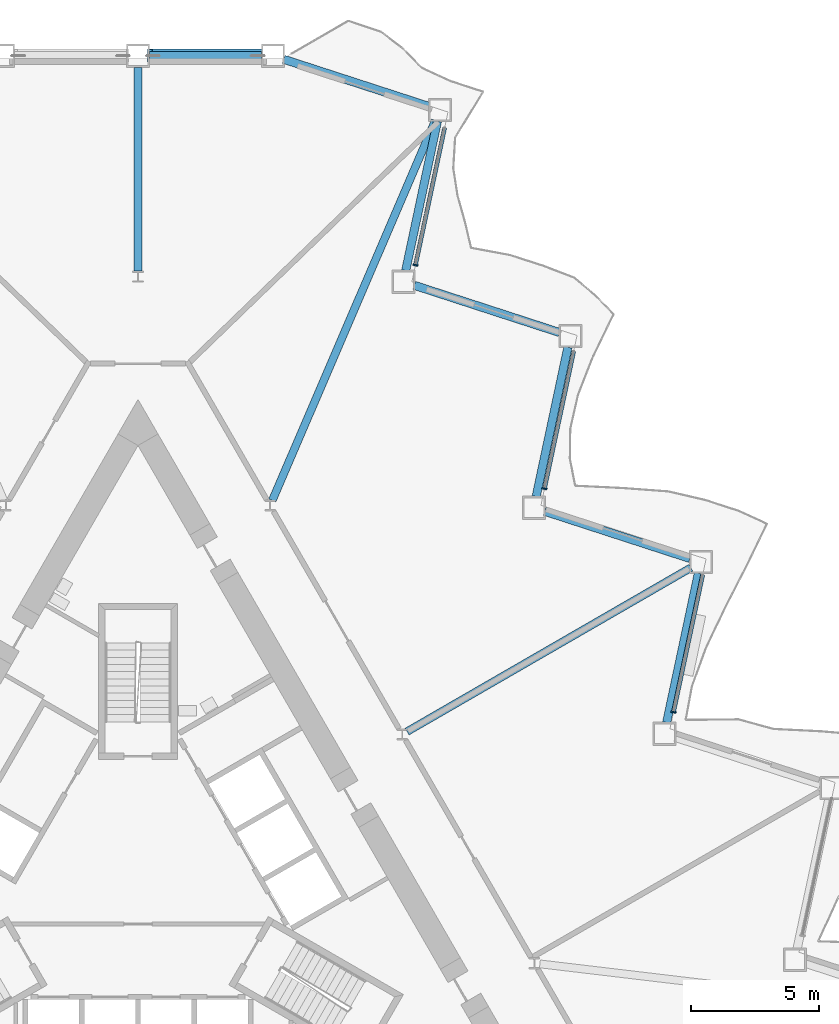
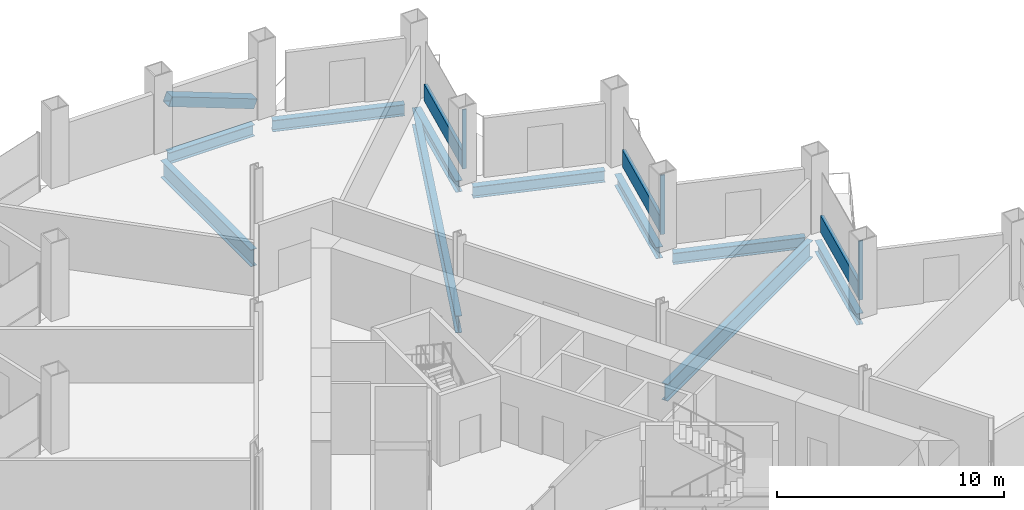
# One storey, part 8 of 21: 10 beams, 7 members, 3 elements without a shape of their own.
"""IFC4 building model written with IfcOpenShell, lengths in metres."""

import ifcopenshell
import ifcopenshell.guid

model = None  # the IFC model being written
_history = None  # IfcOwnerHistory: only IFC2X3 demands one
_inside = {}  # id of a spatial element -> (the spatial element, [elements in it])
_under = {}  # id of a project, library or spatial element -> (it, [spatial elements below it])
_declared = {}  # id of a project -> (the project, [libraries it declares])
_typed = {}  # id of a type object -> (the type object, [elements of that type])
_made_of = {}  # id of a material, layer set ... -> (it, [elements and type objects made of it])


def new_model(schema):
    """Start an empty IFC model of exactly this schema.

    Asked for "IFC4X3", IfcOpenShell would pick the latest addendum, in which some entities
    have other attributes; the version numbers below select the first issue.
    IFC2X3 requires an IfcOwnerHistory on every rooted entity: one is made here for all.
    """
    global model, _history
    if schema == "IFC4X3":
        model = ifcopenshell.file(schema_version=(4, 3, 0, 0))
    else:
        model = ifcopenshell.file(schema=schema)
    _inside.clear()
    _under.clear()
    _declared.clear()
    _typed.clear()
    _made_of.clear()
    _history = None
    if model.schema == "IFC2X3":
        org = make("IfcOrganization", Name="unknown")
        user = make(
            "IfcPersonAndOrganization",
            ThePerson=make("IfcPerson", FamilyName="unknown"),
            TheOrganization=org,
        )
        app = make(
            "IfcApplication",
            ApplicationDeveloper=org,
            Version="unknown",
            ApplicationFullName="unknown",
            ApplicationIdentifier="unknown",
        )
        _history = make(
            "IfcOwnerHistory",
            OwningUser=user,
            OwningApplication=app,
            ChangeAction="ADDED",
            CreationDate=0,
        )
    return model


def make(cls, **values):
    """One entity of the class cls with the attributes given. An attribute that is None is left unset."""
    return model.create_entity(
        cls, **{name: value for name, value in values.items() if value is not None}
    )


def rooted(cls, **values):
    """An entity with a GlobalId (a new one), such as an element, a storey or a relation."""
    return make(cls, GlobalId=ifcopenshell.guid.new(), OwnerHistory=_history, **values)


def si_unit(unit_type, name, prefix=None):
    """IfcSIUnit, for example si_unit("LENGTHUNIT", "METRE", prefix="MILLI")."""
    return make("IfcSIUnit", UnitType=unit_type, Prefix=prefix, Name=name)


def assignment(units):
    """IfcUnitAssignment: the units of a project."""
    return None if units is None else make("IfcUnitAssignment", Units=units)


def point(xyz):
    """IfcCartesianPoint."""
    return None if xyz is None else make("IfcCartesianPoint", Coordinates=xyz)


def direction(xyz):
    """IfcDirection."""
    return None if xyz is None else make("IfcDirection", DirectionRatios=xyz)


def frame(location, z_axis=None, x_axis=None):
    """IfcAxis2Placement3D, a coordinate frame: its origin and axes. An axis left out is left unset."""
    return make(
        "IfcAxis2Placement3D",
        Location=point(location),
        Axis=direction(z_axis),
        RefDirection=direction(x_axis),
    )


def frame_2d(location, x_axis=None):
    """IfcAxis2Placement2D, a coordinate frame in the plane: its origin and x axis."""
    return make(
        "IfcAxis2Placement2D", Location=point(location), RefDirection=direction(x_axis)
    )


def origin():
    """The frame at (0, 0, 0) with its axes left unset."""
    return frame((0.0, 0.0, 0.0))


def origin_2d():
    """The frame at (0, 0) in the plane with its x axis left unset."""
    return frame_2d((0.0, 0.0))


def place(relative_to, where):
    """IfcLocalPlacement: puts the frame where relative to a parent placement (None: the world)."""
    return make(
        "IfcLocalPlacement", PlacementRelTo=relative_to, RelativePlacement=where
    )


def context(
    kind, dimensions, precision=None, world=None, true_north=None, identifier=None
):
    """IfcGeometricRepresentationContext, for example the 3D "Model" context."""
    return make(
        "IfcGeometricRepresentationContext",
        ContextIdentifier=identifier,
        ContextType=kind,
        CoordinateSpaceDimension=dimensions,
        Precision=precision,
        WorldCoordinateSystem=world,
        TrueNorth=true_north,
    )


def subcontext(parent, identifier, kind, view, scale=None):
    """IfcGeometricRepresentationSubContext, for example "Body" below "Model"."""
    return make(
        "IfcGeometricRepresentationSubContext",
        ContextIdentifier=identifier,
        ContextType=kind,
        ParentContext=parent,
        TargetScale=scale,
        TargetView=view,
    )


def project(units=None, contexts=None):
    """IfcProject with its units and contexts."""
    return rooted(
        "IfcProject",
        Name="project",
        RepresentationContexts=contexts,
        UnitsInContext=assignment(units),
    )


def spatial(cls, under=None, at=None, **own):
    """A site, building, storey or space (cls), placed at a placement, below another one or the project."""
    s = rooted(cls, ObjectPlacement=at, **own)
    if under is not None:
        _under.setdefault(under.id(), (under, []))[1].append(s)
    return s


def profile(cls, at=None, kind="AREA", **sizes):
    """A parametric profile (cls). Its sizes go by their IFC names, for example OverallWidth=200.0."""
    return make(cls, ProfileType=kind, Position=at, **sizes)


def rectangle(**sizes):
    """IfcRectangleProfileDef."""
    return profile("IfcRectangleProfileDef", **sizes)


def hollow_rectangle(**sizes):
    """IfcRectangleHollowProfileDef."""
    return profile("IfcRectangleHollowProfileDef", **sizes)


def i_section(**sizes):
    """IfcIShapeProfileDef."""
    return profile("IfcIShapeProfileDef", **sizes)


def extrude(swept, where, along, depth):
    """IfcExtrudedAreaSolid: the profile swept, set in the frame where, extruded along a direction by depth."""
    return make(
        "IfcExtrudedAreaSolid",
        SweptArea=swept,
        Position=where,
        ExtrudedDirection=direction(along),
        Depth=depth,
    )


def shape(context_of_items, identifier, shape_type, items):
    """IfcShapeRepresentation: the items that make up one representation, for example the "Body"."""
    return make(
        "IfcShapeRepresentation",
        ContextOfItems=context_of_items,
        RepresentationIdentifier=identifier,
        RepresentationType=shape_type,
        Items=items,
    )


def material(Name=None, Category=None):
    """IfcMaterial."""
    return make("IfcMaterial", Name=Name, Category=Category)


def layer(
    of_material, thickness, ventilated=None, Name=None, Category=None, Priority=None
):
    """IfcMaterialLayer: one layer of a wall or slab, of a material (None: an air gap)."""
    return make(
        "IfcMaterialLayer",
        Material=of_material,
        LayerThickness=thickness,
        IsVentilated=ventilated,
        Name=Name,
        Category=Category,
        Priority=Priority,
    )


def layer_set(layers, Name=None):
    """IfcMaterialLayerSet."""
    return make("IfcMaterialLayerSet", MaterialLayers=layers, LayerSetName=Name)


def material_profile(
    of_material, cross_section, Name=None, Category=None, Priority=None
):
    """IfcMaterialProfile: a cross section and its material."""
    return make(
        "IfcMaterialProfile",
        Name=Name,
        Material=of_material,
        Profile=cross_section,
        Priority=Priority,
        Category=Category,
    )


def profile_set(profiles, Name=None, composite=None):
    """IfcMaterialProfileSet."""
    return make(
        "IfcMaterialProfileSet",
        Name=Name,
        MaterialProfiles=profiles,
        CompositeProfile=composite,
    )


def made_of(thing, what):
    """Note that an element or type object is made of a material, layer set ...; save() writes the relation."""
    if what is not None:
        _made_of.setdefault(what.id(), (what, []))[1].append(thing)
    return thing


def type_object(cls, material=None, **own):
    """A type object (cls), such as IfcWallType, which elements share."""
    return made_of(rooted(cls, **own), material)


def element(
    cls,
    number,
    at=None,
    inside=None,
    cuts=None,
    type_object=None,
    material=None,
    context=None,
    identifier="Body",
    shape_type=None,
    held_by="IfcProductDefinitionShape",
    body=None,
    shapes=None,
    **own,
):
    """One element of the class cls, such as IfcWall. Its Tag is "e" and its number.

    at: its placement. inside: the storey or other place that contains it. cuts: it is an
    opening in that element (IfcRelVoidsElement). A single representation is given by context,
    identifier, shape_type and body (its items); several are given by shapes. held_by: the class
    of the entity that holds the representations. save() writes the other relations.
    """
    e = rooted(cls, Tag="e%d" % number, ObjectPlacement=at, **own)
    if body is not None:
        shapes = [shape(context, identifier, shape_type, body)]
    if shapes is not None:
        e.Representation = make(held_by, Representations=shapes)
    if inside is not None:
        _inside.setdefault(inside.id(), (inside, []))[1].append(e)
    if cuts is not None:
        rooted(
            "IfcRelVoidsElement", RelatingBuildingElement=cuts, RelatedOpeningElement=e
        )
    if type_object is not None:
        _typed.setdefault(type_object.id(), (type_object, []))[1].append(e)
    return made_of(e, material)


def aggregate(whole, parts):
    """IfcRelAggregates: a whole, such as a stair, and the parts it consists of."""
    return rooted("IfcRelAggregates", RelatingObject=whole, RelatedObjects=parts)


def save(model, path):
    """Write the relations noted so far, then the file.

    IfcRelAggregates (storeys below a building ...), IfcRelContainedInSpatialStructure (elements
    in a storey), IfcRelDefinesByType, IfcRelAssociatesMaterial and IfcRelDeclares: one each for
    every whole, place, type object, material and project.
    """
    for whole, parts in _under.values():
        aggregate(whole, parts)
    for where, things in _inside.values():
        rooted(
            "IfcRelContainedInSpatialStructure",
            RelatedElements=things,
            RelatingStructure=where,
        )
    for kind, things in _typed.values():
        rooted("IfcRelDefinesByType", RelatedObjects=things, RelatingType=kind)
    for what, things in _made_of.values():
        rooted("IfcRelAssociatesMaterial", RelatedObjects=things, RelatingMaterial=what)
    for by, libraries in _declared.values():
        rooted("IfcRelDeclares", RelatingContext=by, RelatedDefinitions=libraries)
    model.write(path)


model = new_model("IFC4")

# Units and contexts
model_context = context("Model", 3, precision=1e-05, world=origin(), true_north=direction((0.0, 1.0)))
body_context = subcontext(model_context, "Body", "Model", "MODEL_VIEW")
ifc_project = project(units=[si_unit("LENGTHUNIT", "METRE"), si_unit("AREAUNIT", "SQUARE_METRE"), si_unit("VOLUMEUNIT", "CUBIC_METRE"), si_unit("PLANEANGLEUNIT", "RADIAN"), si_unit("MASSUNIT", "GRAM", prefix="KILO")], contexts=[model_context])

# Site, building, storey
site_placement = place(None, origin())
site = spatial("IfcSite", under=ifc_project, at=site_placement, CompositionType="ELEMENT")
building_placement = place(site_placement, origin())
building = spatial("IfcBuilding", under=site, at=building_placement, Name="Cormorant Prow Tower", CompositionType="ELEMENT")
storey_placement = place(building_placement, frame((0.0, 0.0, 129.0)))
storey = spatial("IfcBuildingStorey", under=building, at=storey_placement, Name="L27", CompositionType="ELEMENT", Elevation=129.0)

# Member
ifc_material_1 = material(Name="Structural steel ASTM A500 Gr C", Category="steel")
ifc_material_profile_1 = material_profile(ifc_material_1, hollow_rectangle(XDim=0.508056640625, YDim=0.508056640625, WallThickness=0.014892578125, at=origin_2d()), Name="HSS20x20x5/8")
ifc_profile_set_1 = profile_set([ifc_material_profile_1], Name="Structural steel ASTM A500 Gr C")
member_type_1 = type_object("IfcMemberType", Name="Chamfer brace HSS20x20x5/8", PredefinedType="BRACE", material=ifc_profile_set_1)
member_1_placement = place(storey_placement, frame((4.8017578125, 32.487060546875, 0.776611328125), z_axis=(-0.935582009332, 0.0, 0.353109478511), x_axis=(0.0, -1.0, 0.0)))
element("IfcMember", 1, at=member_1_placement, inside=storey, type_object=member_type_1, Name="Chamfer brace BR1 at N00 L27", PredefinedType="BRACE", context=body_context, shape_type="SweptSolid", body=[
    extrude(hollow_rectangle(XDim=0.508056640625, YDim=0.508056640625, WallThickness=0.014892578125, at=origin_2d()), origin(), (0.0, 0.0, 1.0), 4.63232421875),
])

# Curtain wall, member
ifc_material_2 = material(Name="Aluminium 6063-T6", Category="aluminium")
ifc_layer = layer(ifc_material_2, 0.199951171875)
ifc_layer_set = layer_set([ifc_layer], Name="Aluminium 6063-T6")
curtain_wall_type = type_object("IfcCurtainWallType", Name="Office unitised curtain wall 200", PredefinedType="NOTDEFINED", material=ifc_layer_set)
curtain_wall_1_placement = place(storey_placement, origin())
curtain_wall_1 = element("IfcCurtainWall", 2, at=curtain_wall_1_placement, inside=storey, type_object=curtain_wall_type, Name="Office curtain wall ENE04", PredefinedType="NOTDEFINED")
ifc_material_3 = material(Name="Aluminium 6063-T6", Category="aluminium")
ifc_material_profile_2 = material_profile(ifc_material_3, rectangle(XDim=0.199951171875, YDim=0.06005859375, at=origin_2d()), Name="Office mullion 60x200")
ifc_profile_set_2 = profile_set([ifc_material_profile_2], Name="Aluminium 6063-T6")
member_type_2 = type_object("IfcMemberType", Name="Office mullion 60x200", PredefinedType="MULLION", material=ifc_profile_set_2)
member_2_placement = place(storey_placement, frame((20.9296875, 6.831787109375, 0.0), z_axis=(0.0, 0.0, 1.0), x_axis=(-0.978147605839, 0.207911666798, 0.0)))
member_2 = element("IfcMember", 3, at=member_2_placement, type_object=member_type_2, Name="Office mullion ENE04", PredefinedType="MULLION", context=body_context, shape_type="SweptSolid", body=[
    extrude(rectangle(XDim=0.199951171875, YDim=0.06005859375, at=origin_2d()), origin(), (0.0, 0.0, 1.0), 3.18896484375),
])

curtain_wall_2_placement = place(storey_placement, origin())
curtain_wall_2 = element("IfcCurtainWall", 4, at=curtain_wall_2_placement, inside=storey, type_object=curtain_wall_type, Name="Office curtain wall ENE06", PredefinedType="NOTDEFINED")
member_3_placement = place(storey_placement, frame((15.886474609375, 15.567138671875, 0.0), z_axis=(0.0, 0.0, 1.0), x_axis=(-0.978147612208, 0.207911636836, 0.0)))
member_3 = element("IfcMember", 5, at=member_3_placement, type_object=member_type_2, Name="Office mullion ENE06", PredefinedType="MULLION", context=body_context, shape_type="SweptSolid", body=[
    extrude(rectangle(XDim=0.199951171875, YDim=0.06005859375, at=origin_2d()), origin(), (0.0, 0.0, 1.0), 3.18896484375),
])

curtain_wall_3_placement = place(storey_placement, origin())
curtain_wall_3 = element("IfcCurtainWall", 6, at=curtain_wall_3_placement, inside=storey, type_object=curtain_wall_type, Name="Office curtain wall ENE08", PredefinedType="NOTDEFINED")
member_4_placement = place(storey_placement, frame((10.843017578125, 24.302490234375, 0.0), z_axis=(0.0, 0.0, 1.0), x_axis=(-0.978147612208, 0.207911636836, 0.0)))
member_4 = element("IfcMember", 7, at=member_4_placement, type_object=member_type_2, Name="Office mullion ENE08", PredefinedType="MULLION", context=body_context, shape_type="SweptSolid", body=[
    extrude(rectangle(XDim=0.199951171875, YDim=0.06005859375, at=origin_2d()), origin(), (0.0, 0.0, 1.0), 3.18896484375),
])

# Member
ifc_material_4 = material(Name="Terracotta", Category="masonry")
ifc_material_profile_3 = material_profile(ifc_material_4, rectangle(XDim=0.159912109375, YDim=0.89990234375, at=origin_2d()), Name="Office terracotta spandrel rail 160x900")
ifc_profile_set_3 = profile_set([ifc_material_profile_3], Name="Terracotta")
member_type_3 = type_object("IfcMemberType", Name="Office terracotta spandrel rail 160x900", PredefinedType="USERDEFINED", material=ifc_profile_set_3)
member_5_placement = place(storey_placement, frame((20.93603515625, 6.861083984375, 0.449951171875), z_axis=(0.207902650803, 0.978149522205, 0.0), x_axis=(-0.978149522205, 0.207902650803, 0.0)))
member_5 = element("IfcMember", 8, at=member_5_placement, type_object=member_type_3, Name="Office spandrel rail ENE04", ObjectType="TRANSOM", PredefinedType="USERDEFINED", context=body_context, shape_type="SweptSolid", body=[
    extrude(rectangle(XDim=0.159912109375, YDim=0.89990234375, at=origin_2d()), origin(), (0.0, 0.0, 1.0), 5.45458984375),
])

aggregate(curtain_wall_1, [member_2, member_5])

member_6_placement = place(storey_placement, frame((15.892578125, 15.596435546875, 0.449951171875), z_axis=(0.207902650803, 0.978149522205, 0.0), x_axis=(-0.978149522205, 0.207902650803, 0.0)))
member_6 = element("IfcMember", 9, at=member_6_placement, type_object=member_type_3, Name="Office spandrel rail ENE06", ObjectType="TRANSOM", PredefinedType="USERDEFINED", context=body_context, shape_type="SweptSolid", body=[
    extrude(rectangle(XDim=0.159912109375, YDim=0.89990234375, at=origin_2d()), origin(), (0.0, 0.0, 1.0), 5.45458984375),
])

aggregate(curtain_wall_2, [member_3, member_6])

member_7_placement = place(storey_placement, frame((10.84912109375, 24.331787109375, 0.449951171875), z_axis=(0.207945473965, 0.978140419294, 0.0), x_axis=(-0.978140419294, 0.207945473965, 0.0)))
member_7 = element("IfcMember", 10, at=member_7_placement, type_object=member_type_3, Name="Office spandrel rail ENE08", ObjectType="TRANSOM", PredefinedType="USERDEFINED", context=body_context, shape_type="SweptSolid", body=[
    extrude(rectangle(XDim=0.159912109375, YDim=0.89990234375, at=origin_2d()), origin(), (0.0, 0.0, 1.0), 5.45458984375),
])

aggregate(curtain_wall_3, [member_4, member_7])

# Beams
ifc_material_5 = material(Name="Structural steel ASTM A992 Gr 50", Category="steel")
ifc_material_profile_4 = material_profile(ifc_material_5, i_section(OverallWidth=0.3046875, OverallDepth=0.914794921875, WebThickness=0.0166015625, FlangeThickness=0.02587890625, at=origin_2d()), Name="W36x160")
ifc_profile_set_4 = profile_set([ifc_material_profile_4], Name="Structural steel ASTM A992 Gr 50")
beam_type_1 = type_object("IfcBeamType", Name="Radial floor beam W36x160", PredefinedType="BEAM", material=ifc_profile_set_4)
beam_1_placement = place(storey_placement, frame((0.0, 24.070068359375, -0.857421875), z_axis=(0.0, 1.0, 0.0), x_axis=(-1.0, 0.0, 0.0)))
element("IfcBeam", 11, at=beam_1_placement, inside=storey, type_object=beam_type_1, Name="Radial floor beam FB1 1 L27", PredefinedType="BEAM", context=body_context, shape_type="SweptSolid", body=[
    extrude(i_section(OverallWidth=0.3046875, OverallDepth=0.914794921875, WebThickness=0.0166015625, FlangeThickness=0.02587890625, at=origin_2d()), origin(), (0.0, 0.0, 1.0), 7.966796875),
])
beam_2_placement = place(storey_placement, frame((10.516845703125, 6.07177734375, -0.857421875), z_axis=(0.866021760006, 0.500006311156, 0.0), x_axis=(-0.500006311156, 0.866021760006, 0.0)))
element("IfcBeam", 12, at=beam_2_placement, inside=storey, type_object=beam_type_1, Name="Radial floor beam FB1 11 L27", PredefinedType="BEAM", context=body_context, shape_type="SweptSolid", body=[
    extrude(i_section(OverallWidth=0.3046875, OverallDepth=0.914794921875, WebThickness=0.0166015625, FlangeThickness=0.02587890625, at=origin_2d()), origin(), (0.0, 0.0, 1.0), 12.805419921875),
])
beam_3_placement = place(storey_placement, frame((5.25, 15.107666015625, -0.857421875), z_axis=(0.394273140268, 0.918993302948, 0.0), x_axis=(-0.918993302948, 0.394273140268, 0.0)))
element("IfcBeam", 13, at=beam_3_placement, inside=storey, type_object=beam_type_1, Name="Radial floor beam FB1 12 L27", PredefinedType="BEAM", context=body_context, shape_type="SweptSolid", body=[
    extrude(i_section(OverallWidth=0.3046875, OverallDepth=0.914794921875, WebThickness=0.0166015625, FlangeThickness=0.02587890625, at=origin_2d()), origin(), (0.0, 0.0, 1.0), 16.153564453125),
])
ifc_material_6 = material(Name="Structural steel ASTM A992 Gr 50", Category="steel")
ifc_material_profile_5 = material_profile(ifc_material_6, i_section(OverallWidth=0.32373046875, OverallDepth=0.611083984375, WebThickness=0.0126953125, FlangeThickness=0.01904296875, at=origin_2d()), Name="W24x104")
ifc_profile_set_5 = profile_set([ifc_material_profile_5], Name="Structural steel ASTM A992 Gr 50")
beam_type_2 = type_object("IfcBeamType", Name="Spandrel beam W24x104", PredefinedType="SPANDREL", material=ifc_profile_set_5)
beam_4_placement = place(storey_placement, frame((20.6630859375, 6.427001953125, -0.70556640625), z_axis=(0.207912620873, 0.978147403044, 0.0), x_axis=(-0.978147403044, 0.207912620873, 0.0)))
element("IfcBeam", 14, at=beam_4_placement, inside=storey, type_object=beam_type_2, Name="Spandrel beam SB1 ENE04-ENE05 L27", PredefinedType="SPANDREL", context=body_context, shape_type="SweptSolid", body=[
    extrude(i_section(OverallWidth=0.32373046875, OverallDepth=0.611083984375, WebThickness=0.0126953125, FlangeThickness=0.01904296875, at=origin_2d()), origin(), (0.0, 0.0, 1.0), 5.962890625),
])
for number, where, z_axis, x_axis, name in (
    (15, (21.568359375, 12.838623046875, -0.70556640625), (-0.951059340519, 0.309008302174, 0.0), (-0.309008302174, -0.951059340519, 0.0), "Spandrel beam SB1 ENE05-ENE06 L27"),
    (16, (15.56298828125, 15.260498046875, -0.70556640625), (0.207920947907, 0.978145633033, 0.0), (-0.978145633033, 0.207920947907, 0.0), "Spandrel beam SB1 ENE06-ENE07 L27"),
):
    element("IfcBeam", number, at=place(storey_placement, frame(where, z_axis=z_axis, x_axis=x_axis)), inside=storey, type_object=beam_type_2, Name=name, PredefinedType="SPANDREL", context=body_context, shape_type="SweptSolid", body=[
        extrude(i_section(OverallWidth=0.32373046875, OverallDepth=0.611083984375, WebThickness=0.0126953125, FlangeThickness=0.01904296875, at=origin_2d()), origin(), (0.0, 0.0, 1.0), 5.962646484375),
    ])
beam_5_placement = place(storey_placement, frame((16.468505859375, 21.671875, -0.70556640625), z_axis=(-0.95104730696, 0.309045336358, 0.0), x_axis=(-0.309045336358, -0.95104730696, 0.0)))
element("IfcBeam", 17, at=beam_5_placement, inside=storey, type_object=beam_type_2, Name="Spandrel beam SB1 ENE07-ENE08 L27", PredefinedType="SPANDREL", context=body_context, shape_type="SweptSolid", body=[
    extrude(i_section(OverallWidth=0.32373046875, OverallDepth=0.611083984375, WebThickness=0.0126953125, FlangeThickness=0.01904296875, at=origin_2d()), origin(), (0.0, 0.0, 1.0), 5.962890625),
])
beam_6_placement = place(storey_placement, frame((10.463134765625, 24.09375, -0.70556640625), z_axis=(0.207920947907, 0.978145633033, 0.0), x_axis=(-0.978145633033, 0.207920947907, 0.0)))
element("IfcBeam", 18, at=beam_6_placement, inside=storey, type_object=beam_type_2, Name="Spandrel beam SB1 ENE08-ENE09 L27", PredefinedType="SPANDREL", context=body_context, shape_type="SweptSolid", body=[
    extrude(i_section(OverallWidth=0.32373046875, OverallDepth=0.611083984375, WebThickness=0.0126953125, FlangeThickness=0.01904296875, at=origin_2d()), origin(), (0.0, 0.0, 1.0), 5.962646484375),
])
beam_7_placement = place(storey_placement, frame((11.368408203125, 30.50537109375, -0.70556640625), z_axis=(-0.951055430656, 0.309020335608, 0.0), x_axis=(-0.309020335608, -0.951055430656, 0.0)))
element("IfcBeam", 19, at=beam_7_placement, inside=storey, type_object=beam_type_2, Name="Spandrel beam SB1 ENE09-N00 L27", PredefinedType="SPANDREL", context=body_context, shape_type="SweptSolid", body=[
    extrude(i_section(OverallWidth=0.32373046875, OverallDepth=0.611083984375, WebThickness=0.0126953125, FlangeThickness=0.01904296875, at=origin_2d()), origin(), (0.0, 0.0, 1.0), 5.96240234375),
])
beam_8_placement = place(storey_placement, frame((4.819580078125, 32.487060546875, -0.70556640625), z_axis=(-1.0, 0.0, 0.0), x_axis=(0.0, -1.0, 0.0)))
element("IfcBeam", 20, at=beam_8_placement, inside=storey, type_object=beam_type_2, Name="Spandrel beam SB1 N00-N01 L27", PredefinedType="SPANDREL", context=body_context, shape_type="SweptSolid", body=[
    extrude(i_section(OverallWidth=0.32373046875, OverallDepth=0.611083984375, WebThickness=0.0126953125, FlangeThickness=0.01904296875, at=origin_2d()), origin(), (0.0, 0.0, 1.0), 4.36962890625),
])

save(model, "model.ifc")
